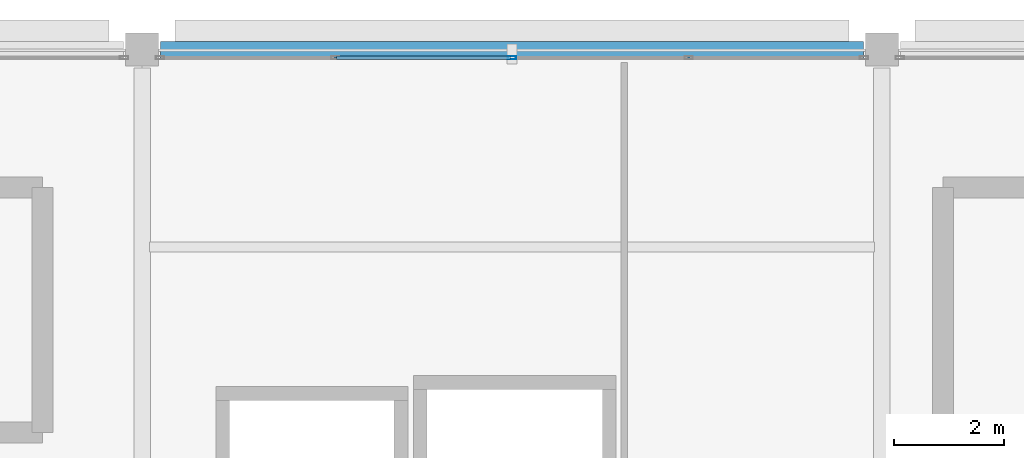
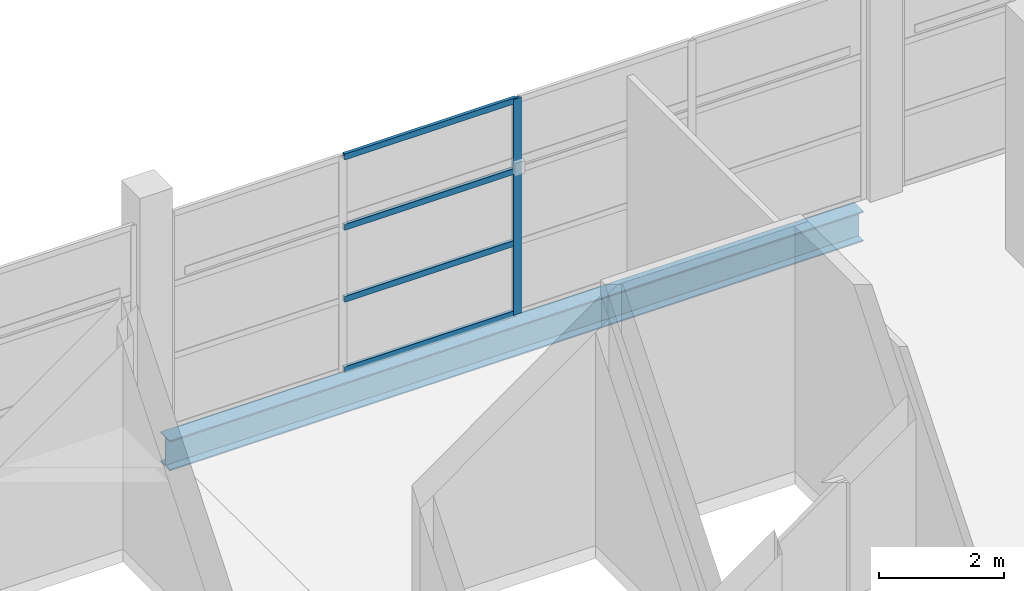
# One storey, part 105 of 134: 5 members, 1 beam, 1 element without a shape of its own.
"""IFC4 building model written with IfcOpenShell, lengths in metres."""

from ifc_helpers import new_model, si_unit, direction, frame, origin, origin_2d, place, context, subcontext, project, spatial, hollow_rectangle, i_section, extrude, material, layer, layer_set, material_profile, profile_set, type_object, element, aggregate, save


model = new_model("IFC4")

# Units and contexts
model_context = context("Model", 3, precision=1e-05, world=origin(), true_north=direction((0.0, 1.0)))
body_context = subcontext(model_context, "Body", "Model", "MODEL_VIEW")
ifc_project = project(units=[si_unit("LENGTHUNIT", "METRE"), si_unit("AREAUNIT", "SQUARE_METRE"), si_unit("VOLUMEUNIT", "CUBIC_METRE"), si_unit("PLANEANGLEUNIT", "RADIAN"), si_unit("MASSUNIT", "GRAM", prefix="KILO")], contexts=[model_context])

# Site, building, storey
site_placement = place(None, origin())
site = spatial("IfcSite", under=ifc_project, at=site_placement, CompositionType="ELEMENT")
building_placement = place(site_placement, origin())
building = spatial("IfcBuilding", under=site, at=building_placement, Name="Tamarisk Ironworks Central Station", CompositionType="ELEMENT")
storey_placement = place(building_placement, frame((0.0, 0.0, 12.60009765625)))
storey = spatial("IfcBuildingStorey", under=building, at=storey_placement, Name="L02", CompositionType="ELEMENT", Elevation=12.60009765625)

# Beam
ifc_material_1 = material(Name="Structural steel S355J2", Category="steel")
ifc_material_profile_1 = material_profile(ifc_material_1, i_section(OverallWidth=0.300048828125, OverallDepth=0.590087890625, WebThickness=0.012939453125, FlangeThickness=0.02490234375, at=origin_2d()), Name="HEA 600")
ifc_profile_set_1 = profile_set([ifc_material_profile_1], Name="Structural steel S355J2")
beam_type = type_object("IfcBeamType", Name="BM-G03", PredefinedType="BEAM", material=ifc_profile_set_1)
beam_placement = place(storey_placement, frame((153.337890625, 122.39990234375, -0.545166015625), z_axis=(1.0, 0.0, 0.0), x_axis=(0.0, 1.0, 0.0)))
element("IfcBeam", 1, at=beam_placement, inside=storey, type_object=beam_type, Name="L02 primary girder X-0414", PredefinedType="BEAM", context=body_context, shape_type="SweptSolid", body=[
    extrude(i_section(OverallWidth=0.300048828125, OverallDepth=0.590087890625, WebThickness=0.012939453125, FlangeThickness=0.02490234375, at=origin_2d()), origin(), (0.0, 0.0, 1.0), 12.82421875),
])

# Curtain wall, members
ifc_material_2 = material(Name="Anodized aluminium alloy 6063-T6", Category="aluminium")
ifc_layer = layer(ifc_material_2, 0.179931640625)
ifc_layer_set = layer_set([ifc_layer], Name="Anodized aluminium alloy 6063-T6")
curtain_wall_type = type_object("IfcCurtainWallType", Name="CW-17", PredefinedType="USERDEFINED", material=ifc_layer_set)
curtain_wall_placement = place(storey_placement, origin())
curtain_wall = element("IfcCurtainWall", 2, at=curtain_wall_placement, inside=storey, type_object=curtain_wall_type, Name="Operations L02 north facade curtain wall 153", ObjectType="GLAZED CURTAIN WALL", PredefinedType="USERDEFINED")
ifc_material_profile_2 = material_profile(ifc_material_2, hollow_rectangle(XDim=0.06005859375, YDim=0.14990234375, WallThickness=0.00341796875, at=origin_2d()), Name="ALUM 150x60")
ifc_profile_set_2 = profile_set([ifc_material_profile_2], Name="Anodized aluminium alloy 6063-T6")
member_type_1 = type_object("IfcMemberType", Name="CWM-03", PredefinedType="MULLION", material=ifc_profile_set_2)
member_1_placement = place(storey_placement, frame((159.75, 122.25, 0.0), z_axis=(0.0, 0.0, 1.0), x_axis=(0.0, 1.0, 0.0)))
member_1 = element("IfcMember", 3, at=member_1_placement, type_object=member_type_1, Name="CW17 mullion 3", PredefinedType="MULLION", context=body_context, shape_type="SweptSolid", body=[
    extrude(hollow_rectangle(XDim=0.06005859375, YDim=0.14990234375, WallThickness=0.00341796875, at=origin_2d()), origin(), (0.0, 0.0, 1.0), 4.219970703125),
])
ifc_material_profile_3 = material_profile(ifc_material_2, hollow_rectangle(XDim=0.06005859375, YDim=0.114990234375, WallThickness=0.00341796875, at=origin_2d()), Name="ALUM 115x60")
ifc_profile_set_3 = profile_set([ifc_material_profile_3], Name="Anodized aluminium alloy 6063-T6")
member_type_2 = type_object("IfcMemberType", Name="CWT-03", PredefinedType="USERDEFINED", material=ifc_profile_set_3)
member_2_placement = place(storey_placement, frame((156.550048828125, 122.25, 0.02978515625), z_axis=(1.0, 0.0, 0.0), x_axis=(0.0, 1.0, 0.0)))
member_2 = element("IfcMember", 4, at=member_2_placement, type_object=member_type_2, Name="CW17 transom 2.1", ObjectType="TRANSOM", PredefinedType="USERDEFINED", context=body_context, shape_type="SweptSolid", body=[
    extrude(hollow_rectangle(XDim=0.06005859375, YDim=0.114990234375, WallThickness=0.00341796875, at=origin_2d()), origin(), (0.0, 0.0, 1.0), 3.174072265625),
])
member_3_placement = place(storey_placement, frame((156.550048828125, 122.25, 1.406494140625), z_axis=(1.0, 0.0, 0.0), x_axis=(0.0, 1.0, 0.0)))
member_3 = element("IfcMember", 5, at=member_3_placement, type_object=member_type_2, Name="CW17 transom 2.2", ObjectType="TRANSOM", PredefinedType="USERDEFINED", context=body_context, shape_type="SweptSolid", body=[
    extrude(hollow_rectangle(XDim=0.06005859375, YDim=0.114990234375, WallThickness=0.00341796875, at=origin_2d()), origin(), (0.0, 0.0, 1.0), 3.174072265625),
])
member_4_placement = place(storey_placement, frame((156.550048828125, 122.25, 2.813232421875), z_axis=(1.0, 0.0, 0.0), x_axis=(0.0, 1.0, 0.0)))
member_4 = element("IfcMember", 6, at=member_4_placement, type_object=member_type_2, Name="CW17 transom 2.3", ObjectType="TRANSOM", PredefinedType="USERDEFINED", context=body_context, shape_type="SweptSolid", body=[
    extrude(hollow_rectangle(XDim=0.06005859375, YDim=0.114990234375, WallThickness=0.00341796875, at=origin_2d()), origin(), (0.0, 0.0, 1.0), 3.174072265625),
])
member_5_placement = place(storey_placement, frame((156.550048828125, 122.25, 4.18994140625), z_axis=(1.0, 0.0, 0.0), x_axis=(0.0, 1.0, 0.0)))
member_5 = element("IfcMember", 7, at=member_5_placement, type_object=member_type_2, Name="CW17 transom 2.4", ObjectType="TRANSOM", PredefinedType="USERDEFINED", context=body_context, shape_type="SweptSolid", body=[
    extrude(hollow_rectangle(XDim=0.06005859375, YDim=0.114990234375, WallThickness=0.00341796875, at=origin_2d()), origin(), (0.0, 0.0, 1.0), 3.174072265625),
])
aggregate(curtain_wall, [member_1, member_2, member_3, member_4, member_5])

save(model, "model.ifc")
